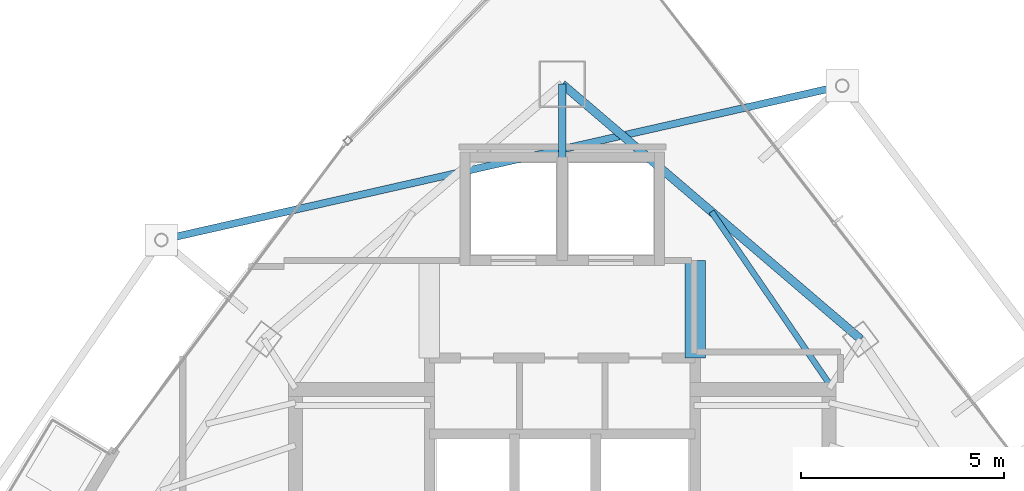
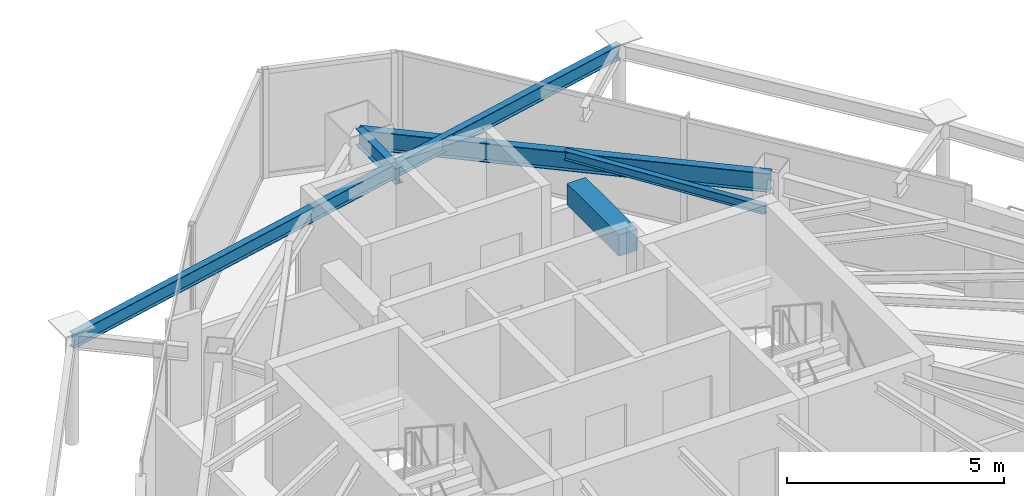
# One storey, part 21 of 28: 5 beams.
"""IFC4 building model written with IfcOpenShell, lengths in metres."""

from ifc_helpers import new_model, si_unit, direction, frame, origin, origin_2d, place, context, subcontext, project, spatial, rectangle, i_section, extrude, material, material_profile, profile_set, type_object, element, save


model = new_model("IFC4")

# Units and contexts
model_context = context("Model", 3, precision=1e-05, world=origin(), true_north=direction((0.0, 1.0)))
body_context = subcontext(model_context, "Body", "Model", "MODEL_VIEW")
ifc_project = project(units=[si_unit("LENGTHUNIT", "METRE"), si_unit("AREAUNIT", "SQUARE_METRE"), si_unit("VOLUMEUNIT", "CUBIC_METRE"), si_unit("PLANEANGLEUNIT", "RADIAN"), si_unit("MASSUNIT", "GRAM", prefix="KILO")], contexts=[model_context])

# Site, building, storey
site_placement = place(None, origin())
site = spatial("IfcSite", under=ifc_project, at=site_placement, CompositionType="ELEMENT")
building_placement = place(site_placement, origin())
building = spatial("IfcBuilding", under=site, at=building_placement, Name="Orvanel Arch Residences", CompositionType="ELEMENT")
storey_placement = place(building_placement, frame((0.0, 0.0, 266.75)))
storey = spatial("IfcBuildingStorey", under=building, at=storey_placement, Name="L76", CompositionType="ELEMENT", Elevation=266.75)

# Beams
ifc_material_1 = material(Name="Structural steel AS/NZS 3679.1 Grade 300 (300 MPa)", Category="steel")
ifc_material_profile_1 = material_profile(ifc_material_1, i_section(OverallWidth=0.19091796875, OverallDepth=0.4599609375, WebThickness=0.010009765625, FlangeThickness=0.01611328125, at=origin_2d()), Name="460UB82.1")
ifc_profile_set_1 = profile_set([ifc_material_profile_1], Name="Structural steel AS/NZS 3679.1 Grade 300 (300 MPa)")
beam_type_1 = type_object("IfcBeamType", Name="BG-460UB", PredefinedType="BEAM", material=ifc_profile_set_1)
beam_1_placement = place(storey_placement, frame((33.0, 39.550048828125, 2.830078125), z_axis=(0.0, 1.0, 0.0), x_axis=(-1.0, 0.0, 0.0)))
element("IfcBeam", 1, at=beam_1_placement, inside=storey, type_object=beam_type_1, Name="L76 North Radial Girder", PredefinedType="BEAM", context=body_context, shape_type="SweptSolid", body=[
    extrude(i_section(OverallWidth=0.19091796875, OverallDepth=0.4599609375, WebThickness=0.010009765625, FlangeThickness=0.01611328125, at=origin_2d()), origin(), (0.0, 0.0, 1.0), 1.847900390625),
])
ifc_material_profile_2 = material_profile(ifc_material_1, i_section(OverallWidth=0.14599609375, OverallDepth=0.251953125, WebThickness=0.006103515625, FlangeThickness=0.008544921875, at=origin_2d()), Name="250UB31.4")
ifc_profile_set_2 = profile_set([ifc_material_profile_2], Name="Structural steel AS/NZS 3679.1 Grade 300 (300 MPa)")
beam_type_2 = type_object("IfcBeamType", Name="BJ-250UB", PredefinedType="JOIST", material=ifc_profile_set_2)
beam_2_placement = place(storey_placement, frame((39.574951171875, 34.02001953125, 2.93408203125), z_axis=(-0.564868085352, 0.825181220188, 0.0), x_axis=(-0.825181220188, -0.564868085352, 0.0)))
element("IfcBeam", 2, at=beam_2_placement, inside=storey, type_object=beam_type_2, Name="L76 NNE2 Wing Floor Joist", PredefinedType="JOIST", context=body_context, shape_type="SweptSolid", body=[
    extrude(i_section(OverallWidth=0.14599609375, OverallDepth=0.251953125, WebThickness=0.006103515625, FlangeThickness=0.008544921875, at=origin_2d()), origin(), (0.0, 0.0, 1.0), 5.132080078125),
])
ifc_material_2 = material(Name="Concrete S65 (65 MPa)", Category="concrete")
ifc_material_profile_3 = material_profile(ifc_material_2, rectangle(XDim=0.5, YDim=0.60009765625, at=origin_2d()), Name="RC500x600")
ifc_profile_set_3 = profile_set([ifc_material_profile_3], Name="Concrete S65 (65 MPa)")
beam_type_3 = type_object("IfcBeamType", Name="CB-500x600", PredefinedType="LINTEL", material=ifc_profile_set_3)
beam_3_placement = place(storey_placement, frame((36.27490234375, 34.64990234375, 2.760009765625), z_axis=(0.0, 1.0, 0.0), x_axis=(-1.0, 0.0, 0.0)))
element("IfcBeam", 3, at=beam_3_placement, inside=storey, type_object=beam_type_3, Name="L76 East Core Lobby Coupling Lintel Beam", PredefinedType="LINTEL", context=body_context, shape_type="SweptSolid", body=[
    extrude(rectangle(XDim=0.5, YDim=0.60009765625, at=origin_2d()), origin(), (0.0, 0.0, 1.0), 2.400146484375),
])
ifc_material_profile_4 = material_profile(ifc_material_1, i_section(OverallWidth=0.177978515625, OverallDepth=0.406005859375, WebThickness=0.0078125, FlangeThickness=0.0126953125, at=origin_2d()), Name="410UB59.7")
ifc_profile_set_4 = profile_set([ifc_material_profile_4], Name="Structural steel AS/NZS 3679.1 Grade 300 (300 MPa)")
beam_type_4 = type_object("IfcBeamType", Name="OB-410UB-EXT", PredefinedType="SPANDREL", material=ifc_profile_set_4)
beam_4_placement = place(storey_placement, frame((39.89697265625, 41.35693359375, 2.85693359375), z_axis=(-0.975286007012, -0.220946157528, 0.0), x_axis=(0.220946157528, -0.975286007012, 0.0)))
element("IfcBeam", 4, at=beam_4_placement, inside=storey, type_object=beam_type_4, Name="L76 Outer Perimeter Floor Ring Beam 12", PredefinedType="SPANDREL", context=body_context, shape_type="SweptSolid", body=[
    extrude(i_section(OverallWidth=0.177978515625, OverallDepth=0.406005859375, WebThickness=0.0078125, FlangeThickness=0.0126953125, at=origin_2d()), origin(), (0.0, 0.0, 1.0), 17.198974609375),
])
ifc_material_profile_5 = material_profile(ifc_material_1, i_section(OverallWidth=0.208984375, OverallDepth=0.532958984375, WebThickness=0.01025390625, FlangeThickness=0.015625, at=origin_2d()), Name="530UB92.4")
ifc_profile_set_5 = profile_set([ifc_material_profile_5], Name="Structural steel AS/NZS 3679.1 Grade 300 (300 MPa)")
beam_type_5 = type_object("IfcBeamType", Name="SP-530UB", PredefinedType="SPANDREL", material=ifc_profile_set_5)
beam_5_placement = place(storey_placement, frame((40.35205078125, 35.113037109375, 2.79296875), z_axis=(-0.760116518398, 0.649786794617, 0.0), x_axis=(-0.649786794617, -0.760116518398, 0.0)))
element("IfcBeam", 5, at=beam_5_placement, inside=storey, type_object=beam_type_5, Name="L76 Perimeter Spandrel Beam 09", PredefinedType="SPANDREL", context=body_context, shape_type="SweptSolid", body=[
    extrude(i_section(OverallWidth=0.208984375, OverallDepth=0.532958984375, WebThickness=0.01025390625, FlangeThickness=0.015625, at=origin_2d()), origin(), (0.0, 0.0, 1.0), 9.67236328125),
])

save(model, "model.ifc")
